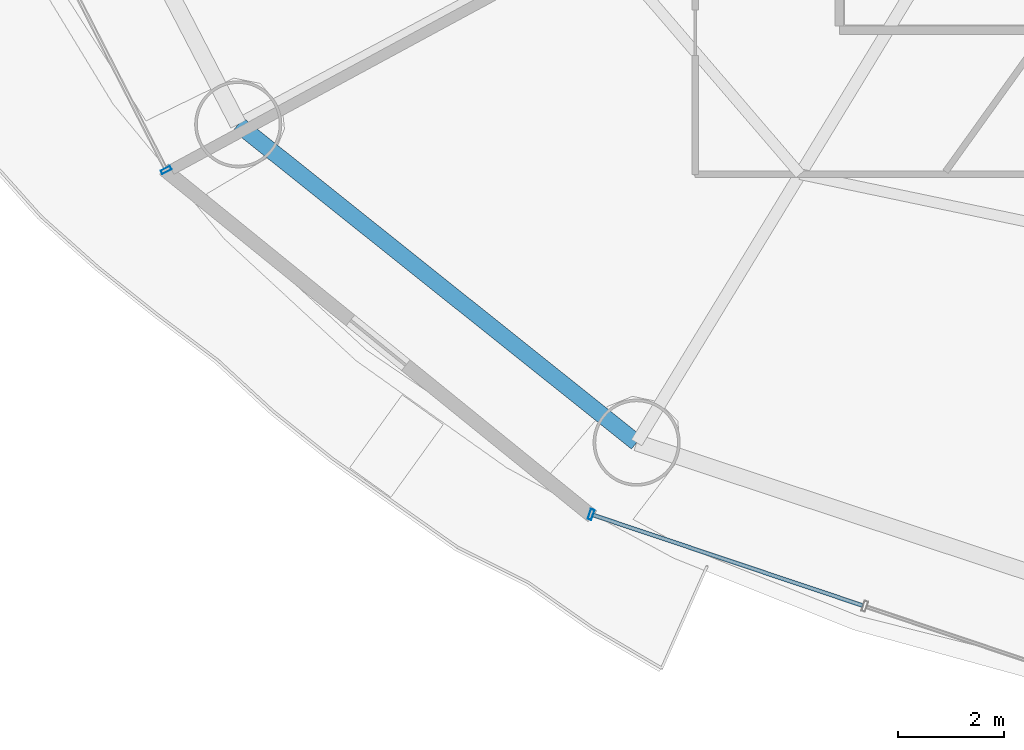
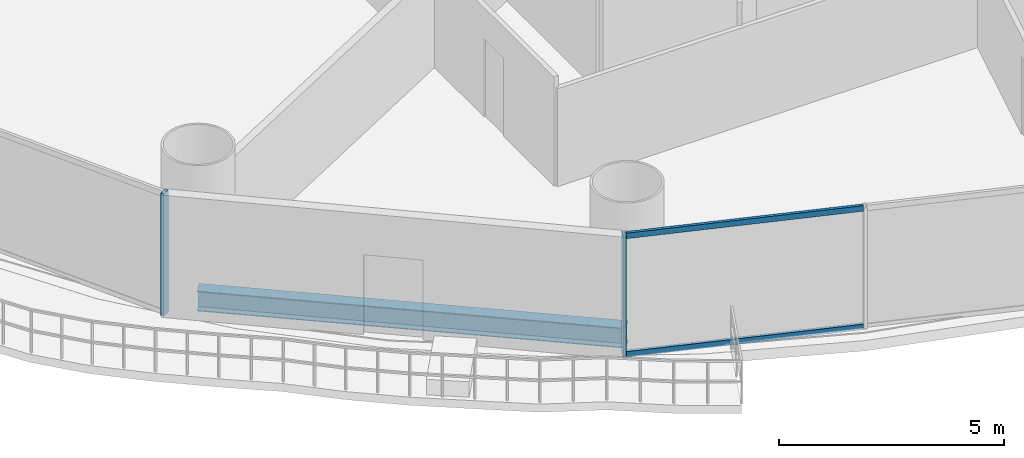
# One storey, part 2 of 30: 4 members, 1 beam, 2 elements without a shape of their own.
"""IFC4 building model written with IfcOpenShell, lengths in metres."""

from ifc_helpers import new_model, si_unit, direction, frame, origin, origin_2d, place, context, subcontext, project, spatial, hollow_rectangle, i_section, extrude, source, transform, mapped, material, material_profile, profile_set, type_object, element, aggregate, save


model = new_model("IFC4")

# Units and contexts
model_context = context("Model", 3, precision=1e-05, world=origin(), true_north=direction((-0.2419218956, 0.970295726276)))
body_context = subcontext(model_context, "Body", "Model", "MODEL_VIEW")
ifc_project = project(units=[si_unit("LENGTHUNIT", "METRE"), si_unit("AREAUNIT", "SQUARE_METRE"), si_unit("VOLUMEUNIT", "CUBIC_METRE"), si_unit("PLANEANGLEUNIT", "RADIAN"), si_unit("MASSUNIT", "GRAM", prefix="KILO")], contexts=[model_context])

# Site, building, storey
site_placement = place(None, origin())
site = spatial("IfcSite", under=ifc_project, at=site_placement, CompositionType="ELEMENT")
building_placement = place(site_placement, origin())
building = spatial("IfcBuilding", under=site, at=building_placement, Name="Cobrevalo Terracotta Tower", CompositionType="ELEMENT")
storey_placement = place(building_placement, frame((0.0, 0.0, 60.0)))
storey = spatial("IfcBuildingStorey", under=building, at=storey_placement, Name="L15", CompositionType="ELEMENT", Elevation=60.0)

# Beam
ifc_material_1 = material(Name="Steel S355", Category="steel")
ifc_material_profile_1 = material_profile(ifc_material_1, i_section(OverallWidth=0.31201171875, OverallDepth=0.54296875, WebThickness=0.0126953125, FlangeThickness=0.020263671875, at=origin_2d()), Name="W 530x150")
ifc_profile_set_1 = profile_set([ifc_material_profile_1], Name="Steel S355")
beam_type = type_object("IfcBeamType", Name="Structural Spandrel W 530x150 (Steel S355)", PredefinedType="SPANDREL", material=ifc_profile_set_1)
beam_placement = place(storey_placement, frame((15.25927734375, 14.660888671875, -0.551513671875), z_axis=(0.781280479891, -0.62418011162, 0.0), x_axis=(0.62418011162, 0.781280479891, 0.0)))
element("IfcBeam", 1, at=beam_placement, inside=storey, type_object=beam_type, Name="L15 perimeter ring spandrel 10", PredefinedType="SPANDREL", context=body_context, shape_type="SweptSolid", body=[
    extrude(i_section(OverallWidth=0.31201171875, OverallDepth=0.54296875, WebThickness=0.0126953125, FlangeThickness=0.020263671875, at=origin_2d()), origin(), (0.0, 0.0, 1.0), 9.658447265625),
])

# Curtain wall, member
ifc_material_2 = material(Name="Anodized aluminium", Category="aluminium")
curtain_wall_type = type_object("IfcCurtainWallType", Name="Lower-tower unitised acoustic low-E curtain wall CW-U1", PredefinedType="NOTDEFINED", material=ifc_material_2)
curtain_wall_1_placement = place(storey_placement, origin())
curtain_wall_1 = element("IfcCurtainWall", 2, at=curtain_wall_1_placement, inside=storey, type_object=curtain_wall_type, Name="L15 curtain wall CW-L15-S09", PredefinedType="NOTDEFINED")
ifc_material_profile_2 = material_profile(ifc_material_2, hollow_rectangle(XDim=0.074951171875, YDim=0.199951171875, WallThickness=0.0048828125, at=origin_2d()), Name="CWM 75x200")
ifc_profile_set_2 = profile_set([ifc_material_profile_2], Name="Anodized aluminium")
member_type_1 = type_object("IfcMemberType", Name="Lower/mid tower unitised mullion 75x200", PredefinedType="MULLION", material=ifc_profile_set_2)
shared_shape_1 = source(origin(), body_context, "Body", "SweptSolid", [
    extrude(hollow_rectangle(XDim=0.074951171875, YDim=0.199951171875, WallThickness=0.0048828125, at=origin_2d()), origin(), (0.0, 0.0, 1.0), 3.320068359375),
])
member_1_placement = place(storey_placement, frame((13.89404296875, 13.79638671875, 0.0), z_axis=(0.0, 0.0, 1.0), x_axis=(0.455234136597, -0.890371765543, 0.0)))
member_1 = element("IfcMember", 3, at=member_1_placement, type_object=member_type_1, Name="CW-L15-S09 vertical mullion 03", PredefinedType="MULLION", context=body_context, shape_type="MappedRepresentation", body=[
    mapped(shared_shape_1, transform((0.0, 0.0, 0.0), scale=1.0)),
])
aggregate(curtain_wall_1, [member_1])

# Curtain wall, members
curtain_wall_2_placement = place(storey_placement, origin())
curtain_wall_2 = element("IfcCurtainWall", 4, at=curtain_wall_2_placement, inside=storey, type_object=curtain_wall_type, Name="L15 curtain wall CW-L15-S11", PredefinedType="NOTDEFINED")
member_2_placement = place(storey_placement, frame((21.943115234375, 7.272705078125, 0.0), z_axis=(0.0, 0.0, 1.0), x_axis=(0.948046393597, -0.318132103987, 0.0)))
member_2 = element("IfcMember", 5, at=member_2_placement, type_object=member_type_1, Name="CW-L15-S11 vertical mullion 01", PredefinedType="MULLION", context=body_context, shape_type="MappedRepresentation", body=[
    mapped(shared_shape_1, transform((0.0, 0.0, 0.0), scale=1.0)),
])
ifc_material_profile_3 = material_profile(ifc_material_2, hollow_rectangle(XDim=0.074951171875, YDim=0.14990234375, WallThickness=0.00439453125, at=origin_2d()), Name="CWT 75x150")
ifc_profile_set_3 = profile_set([ifc_material_profile_3], Name="Anodized aluminium")
member_type_2 = type_object("IfcMemberType", Name="Tower unitised aluminium transom 75x150", PredefinedType="USERDEFINED", material=ifc_profile_set_3)
shared_shape_2 = source(origin(), body_context, "Body", "SweptSolid", [
    extrude(hollow_rectangle(XDim=0.074951171875, YDim=0.14990234375, WallThickness=0.00439453125, at=origin_2d()), origin(), (0.0, 0.0, 1.0), 5.387939453125),
])
member_3_placement = place(storey_placement, frame((21.98095703125, 7.260009765625, 0.050048828125), z_axis=(0.94804244582, -0.318143868278, 0.0), x_axis=(0.318143868278, 0.94804244582, 0.0)))
member_3 = element("IfcMember", 6, at=member_3_placement, type_object=member_type_2, Name="CW-L15-S11 transom B01-T1", ObjectType="TRANSOM", PredefinedType="USERDEFINED", context=body_context, shape_type="MappedRepresentation", body=[
    mapped(shared_shape_2, transform((0.0, 0.0, 0.0), scale=1.0)),
])
member_4_placement = place(storey_placement, frame((21.98095703125, 7.260009765625, 3.27001953125), z_axis=(0.94804244582, -0.318143868278, 0.0), x_axis=(0.318143868278, 0.94804244582, 0.0)))
member_4 = element("IfcMember", 7, at=member_4_placement, type_object=member_type_2, Name="CW-L15-S11 transom B01-T2", ObjectType="TRANSOM", PredefinedType="USERDEFINED", context=body_context, shape_type="MappedRepresentation", body=[
    mapped(shared_shape_2, transform((0.0, 0.0, 0.0), scale=1.0)),
])
aggregate(curtain_wall_2, [member_2, member_3, member_4])

save(model, "model.ifc")
